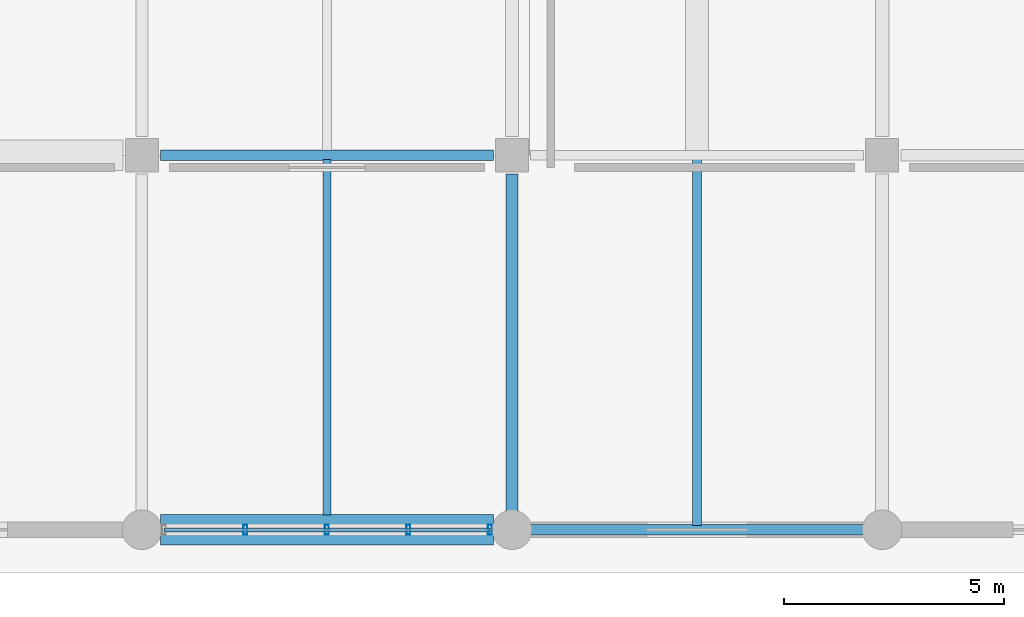
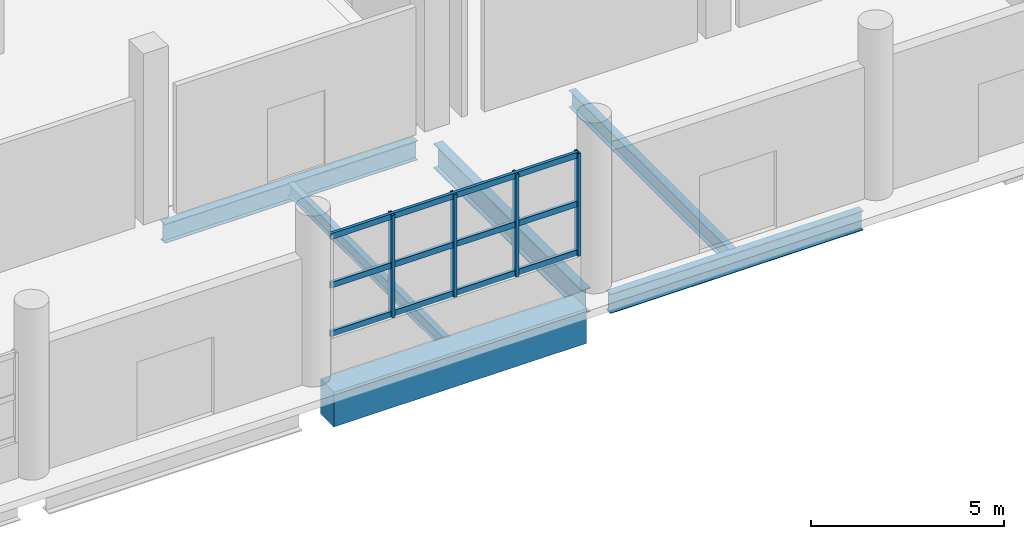
# One storey, part 49 of 107: 7 members, 6 beams, 1 element without a shape of its own.
"""IFC4 building model written with IfcOpenShell, lengths in metres."""

from ifc_helpers import new_model, si_unit, direction, frame, origin, origin_2d, place, context, subcontext, project, spatial, rectangle, hollow_rectangle, i_section, extrude, material, material_profile, profile_set, type_object, element, aggregate, save


model = new_model("IFC4")

# Units and contexts
model_context = context("Model", 3, precision=1e-05, world=origin(), true_north=direction((0.0, 1.0)))
body_context = subcontext(model_context, "Body", "Model", "MODEL_VIEW")
ifc_project = project(units=[si_unit("LENGTHUNIT", "METRE"), si_unit("AREAUNIT", "SQUARE_METRE"), si_unit("VOLUMEUNIT", "CUBIC_METRE"), si_unit("PLANEANGLEUNIT", "RADIAN"), si_unit("MASSUNIT", "GRAM", prefix="KILO")], contexts=[model_context])

# Site, building, storey
site_placement = place(None, origin())
site = spatial("IfcSite", under=ifc_project, at=site_placement, CompositionType="ELEMENT")
building_placement = place(site_placement, origin())
building = spatial("IfcBuilding", under=site, at=building_placement, Name="Solvento Point Concert Hall", CompositionType="ELEMENT")
storey_placement = place(building_placement, origin())
storey = spatial("IfcBuildingStorey", under=building, at=storey_placement, Name="L00", CompositionType="ELEMENT", Elevation=0.0)

# Beams
ifc_material_1 = material(Name="Structural Steel ASTM A992 Grade 50", Category="steel")
ifc_material_profile_1 = material_profile(ifc_material_1, i_section(OverallWidth=0.20947265625, OverallDepth=0.532958984375, WebThickness=0.01025390625, FlangeThickness=0.015625, at=origin_2d()), Name="W21X62")
ifc_profile_set_1 = profile_set([ifc_material_profile_1], Name="Structural Steel ASTM A992 Grade 50")
beam_type_1 = type_object("IfcBeamType", Name="Beam_W21X62", PredefinedType="BEAM", material=ifc_profile_set_1)
beam_1_placement = place(storey_placement, frame((187.800048828125, 0.099365234375, -0.680419921875), z_axis=(0.0, 1.0, 0.0), x_axis=(-1.0, 0.0, 0.0)))
element("IfcBeam", 1, at=beam_1_placement, inside=storey, type_object=beam_type_1, Name="Secondary floor joist B-25 L00", PredefinedType="BEAM", context=body_context, shape_type="SweptSolid", body=[
    extrude(i_section(OverallWidth=0.20947265625, OverallDepth=0.532958984375, WebThickness=0.01025390625, FlangeThickness=0.015625, at=origin_2d()), origin(), (0.0, 0.0, 1.0), 8.30859375),
])
ifc_material_2 = material(Name="Structural Steel ASTM A992 Grade 50", Category="steel")
ifc_material_profile_2 = material_profile(ifc_material_2, i_section(OverallWidth=0.228515625, OverallDepth=0.60791015625, WebThickness=0.01123046875, FlangeThickness=0.017333984375, at=origin_2d()), Name="W24X76")
ifc_profile_set_2 = profile_set([ifc_material_profile_2], Name="Structural Steel ASTM A992 Grade 50")
beam_type_2 = type_object("IfcBeamType", Name="Beam_W24X76", PredefinedType="BEAM", material=ifc_profile_set_2)
for number, where, z_axis, x_axis, name in (
    (2, (184.02392578125, 0.0, -0.718017578125), (1.0, 0.0, 0.0), (0.0, 1.0, 0.0), "Primary girder B-42 L00"),
    (3, (175.6240234375, 8.5, -0.718017578125), (1.0, 0.0, 0.0), (0.0, 1.0, 0.0), "Primary girder B-42 L00"),
):
    element("IfcBeam", number, at=place(storey_placement, frame(where, z_axis=z_axis, x_axis=x_axis)), inside=storey, type_object=beam_type_2, Name=name, PredefinedType="BEAM", context=body_context, shape_type="SweptSolid", body=[
        extrude(i_section(OverallWidth=0.228515625, OverallDepth=0.60791015625, WebThickness=0.01123046875, FlangeThickness=0.017333984375, at=origin_2d()), origin(), (0.0, 0.0, 1.0), 7.552001953125),
    ])
ifc_material_3 = material(Name="Concrete C35/45", Category="concrete")
ifc_material_profile_3 = material_profile(ifc_material_3, rectangle(XDim=0.699951171875, YDim=1.10009765625, at=origin_2d()), Name="RC-BM-700X1100")
ifc_profile_set_3 = profile_set([ifc_material_profile_3], Name="Concrete C35/45")
beam_type_3 = type_object("IfcBeamType", Name="Girder_RC_700x1100", PredefinedType="USERDEFINED", material=ifc_profile_set_3)
beam_2_placement = place(storey_placement, frame((175.6240234375, 0.0, -0.964111328125), z_axis=(1.0, 0.0, 0.0), x_axis=(0.0, 1.0, 0.0)))
element("IfcBeam", 4, at=beam_2_placement, inside=storey, type_object=beam_type_3, Name="Primary girder B-49 L00", ObjectType="GIRDER", PredefinedType="USERDEFINED", context=body_context, shape_type="SweptSolid", body=[
    extrude(rectangle(XDim=0.699951171875, YDim=1.10009765625, at=origin_2d()), origin(), (0.0, 0.0, 1.0), 7.552001953125),
])
ifc_material_4 = material(Name="Structural Steel ASTM A992 Grade 50", Category="steel")
ifc_material_profile_4 = material_profile(ifc_material_4, i_section(OverallWidth=0.26806640625, OverallDepth=0.77001953125, WebThickness=0.015625, FlangeThickness=0.025390625, at=origin_2d()), Name="W30X132")
ifc_profile_set_4 = profile_set([ifc_material_profile_4], Name="Structural Steel ASTM A992 Grade 50")
beam_type_4 = type_object("IfcBeamType", Name="Girder_W30X132", PredefinedType="USERDEFINED", material=ifc_profile_set_4)
beam_3_placement = place(storey_placement, frame((183.60009765625, 0.424072265625, -0.799072265625), z_axis=(0.0, 1.0, 0.0), x_axis=(-1.0, 0.0, 0.0)))
element("IfcBeam", 5, at=beam_3_placement, inside=storey, type_object=beam_type_4, Name="Primary girder B-68 L00", ObjectType="GIRDER", PredefinedType="USERDEFINED", context=body_context, shape_type="SweptSolid", body=[
    extrude(i_section(OverallWidth=0.26806640625, OverallDepth=0.77001953125, WebThickness=0.015625, FlangeThickness=0.025390625, at=origin_2d()), origin(), (0.0, 0.0, 1.0), 7.65185546875),
])
ifc_material_5 = material(Name="Structural Steel ASTM A992 Grade 50", Category="steel")
ifc_material_profile_5 = material_profile(ifc_material_5, i_section(OverallWidth=0.177490234375, OverallDepth=0.403076171875, WebThickness=0.007568359375, FlangeThickness=0.010986328125, at=origin_2d()), Name="W16X36")
ifc_profile_set_5 = profile_set([ifc_material_profile_5], Name="Structural Steel ASTM A992 Grade 50")
beam_type_5 = type_object("IfcBeamType", Name="Joist_W16X36", PredefinedType="JOIST", material=ifc_profile_set_5)
beam_4_placement = place(storey_placement, frame((179.39990234375, 0.3349609375, -0.615478515625), z_axis=(0.0, 1.0, 0.0), x_axis=(-1.0, 0.0, 0.0)))
element("IfcBeam", 6, at=beam_4_placement, inside=storey, type_object=beam_type_5, Name="Secondary floor joist B-30 L00", PredefinedType="JOIST", context=body_context, shape_type="SweptSolid", body=[
    extrude(i_section(OverallWidth=0.177490234375, OverallDepth=0.403076171875, WebThickness=0.007568359375, FlangeThickness=0.010986328125, at=origin_2d()), origin(), (0.0, 0.0, 1.0), 8.06591796875),
])

# Curtain wall, members
ifc_material_6 = material(Name="Anodized Bronze Aluminium", Category="aluminium")
curtain_wall_type = type_object("IfcCurtainWallType", Name="CurtainWall_CafeVeranda", PredefinedType="USERDEFINED", material=ifc_material_6)
curtain_wall_placement = place(storey_placement, origin())
curtain_wall = element("IfcCurtainWall", 7, at=curtain_wall_placement, inside=storey, type_object=curtain_wall_type, Name="Unitised curtain wall CW-42 UCW-L00-050", ObjectType="UNITISED CURTAIN WALL", PredefinedType="USERDEFINED")
ifc_material_7 = material(Name="Anodized Bronze Aluminium", Category="aluminium")
ifc_material_profile_6 = material_profile(ifc_material_7, hollow_rectangle(XDim=0.090087890625, YDim=0.219970703125, WallThickness=0.00439453125, at=origin_2d()), Name="CW-MUL-90X220")
ifc_profile_set_6 = profile_set([ifc_material_profile_6], Name="Anodized Bronze Aluminium")
member_type_1 = type_object("IfcMemberType", Name="Mullion_90x220", PredefinedType="MULLION", material=ifc_profile_set_6)
member_1_placement = place(storey_placement, frame((177.550048828125, 0.0, 1.1201171875), z_axis=(0.0, 0.0, 1.0), x_axis=(1.0, 0.0, 0.0)))
member_1 = element("IfcMember", 8, at=member_1_placement, type_object=member_type_1, Name="Curtain wall mullion ML-02", PredefinedType="MULLION", context=body_context, shape_type="SweptSolid", body=[
    extrude(hollow_rectangle(XDim=0.090087890625, YDim=0.219970703125, WallThickness=0.00439453125, at=origin_2d()), origin(), (0.0, 0.0, 1.0), 3.23583984375),
])
member_2_placement = place(storey_placement, frame((179.39990234375, 0.0, 1.1201171875), z_axis=(0.0, 0.0, 1.0), x_axis=(1.0, 0.0, 0.0)))
member_2 = element("IfcMember", 9, at=member_2_placement, type_object=member_type_1, Name="Curtain wall mullion ML-02", PredefinedType="MULLION", context=body_context, shape_type="SweptSolid", body=[
    extrude(hollow_rectangle(XDim=0.090087890625, YDim=0.219970703125, WallThickness=0.00439453125, at=origin_2d()), origin(), (0.0, 0.0, 1.0), 3.23583984375),
])
member_3_placement = place(storey_placement, frame((181.25, 0.0, 1.1201171875), z_axis=(0.0, 0.0, 1.0), x_axis=(1.0, 0.0, 0.0)))
member_3 = element("IfcMember", 10, at=member_3_placement, type_object=member_type_1, Name="Curtain wall mullion ML-02", PredefinedType="MULLION", context=body_context, shape_type="SweptSolid", body=[
    extrude(hollow_rectangle(XDim=0.090087890625, YDim=0.219970703125, WallThickness=0.00439453125, at=origin_2d()), origin(), (0.0, 0.0, 1.0), 3.23583984375),
])
member_4_placement = place(storey_placement, frame((183.10009765625, 0.0, 1.1201171875), z_axis=(0.0, 0.0, 1.0), x_axis=(1.0, 0.0, 0.0)))
member_4 = element("IfcMember", 11, at=member_4_placement, type_object=member_type_1, Name="Curtain wall mullion ML-02", PredefinedType="MULLION", context=body_context, shape_type="SweptSolid", body=[
    extrude(hollow_rectangle(XDim=0.090087890625, YDim=0.219970703125, WallThickness=0.00439453125, at=origin_2d()), origin(), (0.0, 0.0, 1.0), 3.23583984375),
])
ifc_material_8 = material(Name="Anodized Bronze Aluminium", Category="aluminium")
ifc_material_profile_7 = material_profile(ifc_material_8, hollow_rectangle(XDim=0.090087890625, YDim=0.179931640625, WallThickness=0.00439453125, at=origin_2d()), Name="CW-TRN-90X180")
ifc_profile_set_7 = profile_set([ifc_material_profile_7], Name="Anodized Bronze Aluminium")
member_type_2 = type_object("IfcMemberType", Name="Transom_90x180", PredefinedType="USERDEFINED", material=ifc_profile_set_7)
member_5_placement = place(storey_placement, frame((175.699951171875, 0.0, 1.199951171875), z_axis=(1.0, 0.0, 0.0), x_axis=(0.0, 1.0, 0.0)))
member_5 = element("IfcMember", 12, at=member_5_placement, type_object=member_type_2, Name="Curtain wall transom TR-02", ObjectType="TRANSOM", PredefinedType="USERDEFINED", context=body_context, shape_type="SweptSolid", body=[
    extrude(hollow_rectangle(XDim=0.090087890625, YDim=0.179931640625, WallThickness=0.00439453125, at=origin_2d()), origin(), (0.0, 0.0, 1.0), 7.400146484375),
])
member_6_placement = place(storey_placement, frame((175.699951171875, 0.0, 2.738037109375), z_axis=(1.0, 0.0, 0.0), x_axis=(0.0, 1.0, 0.0)))
member_6 = element("IfcMember", 13, at=member_6_placement, type_object=member_type_2, Name="Curtain wall transom TR-02", ObjectType="TRANSOM", PredefinedType="USERDEFINED", context=body_context, shape_type="SweptSolid", body=[
    extrude(hollow_rectangle(XDim=0.090087890625, YDim=0.179931640625, WallThickness=0.00439453125, at=origin_2d()), origin(), (0.0, 0.0, 1.0), 7.400146484375),
])
member_7_placement = place(storey_placement, frame((175.699951171875, 0.0, 4.27587890625), z_axis=(1.0, 0.0, 0.0), x_axis=(0.0, 1.0, 0.0)))
member_7 = element("IfcMember", 14, at=member_7_placement, type_object=member_type_2, Name="Curtain wall transom TR-02", ObjectType="TRANSOM", PredefinedType="USERDEFINED", context=body_context, shape_type="SweptSolid", body=[
    extrude(hollow_rectangle(XDim=0.090087890625, YDim=0.179931640625, WallThickness=0.00439453125, at=origin_2d()), origin(), (0.0, 0.0, 1.0), 7.400146484375),
])
aggregate(curtain_wall, [member_1, member_2, member_3, member_4, member_5, member_6, member_7])

save(model, "model.ifc")
